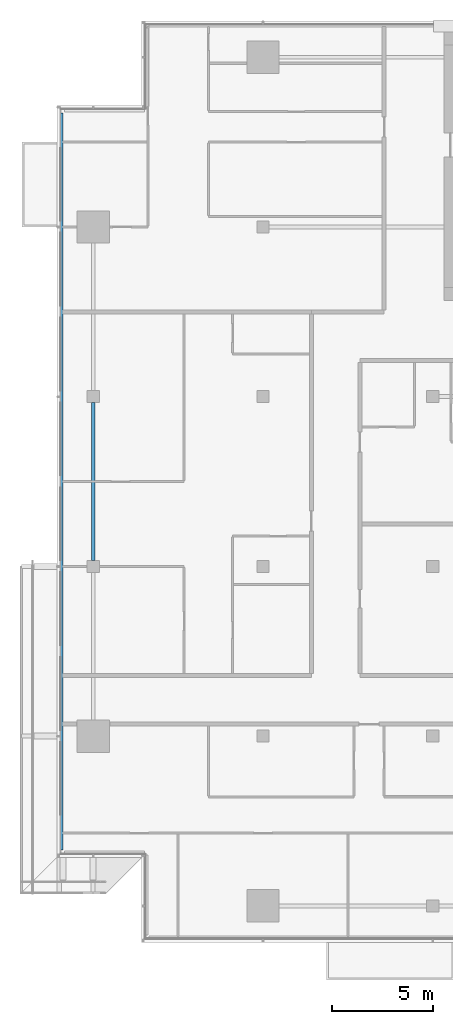
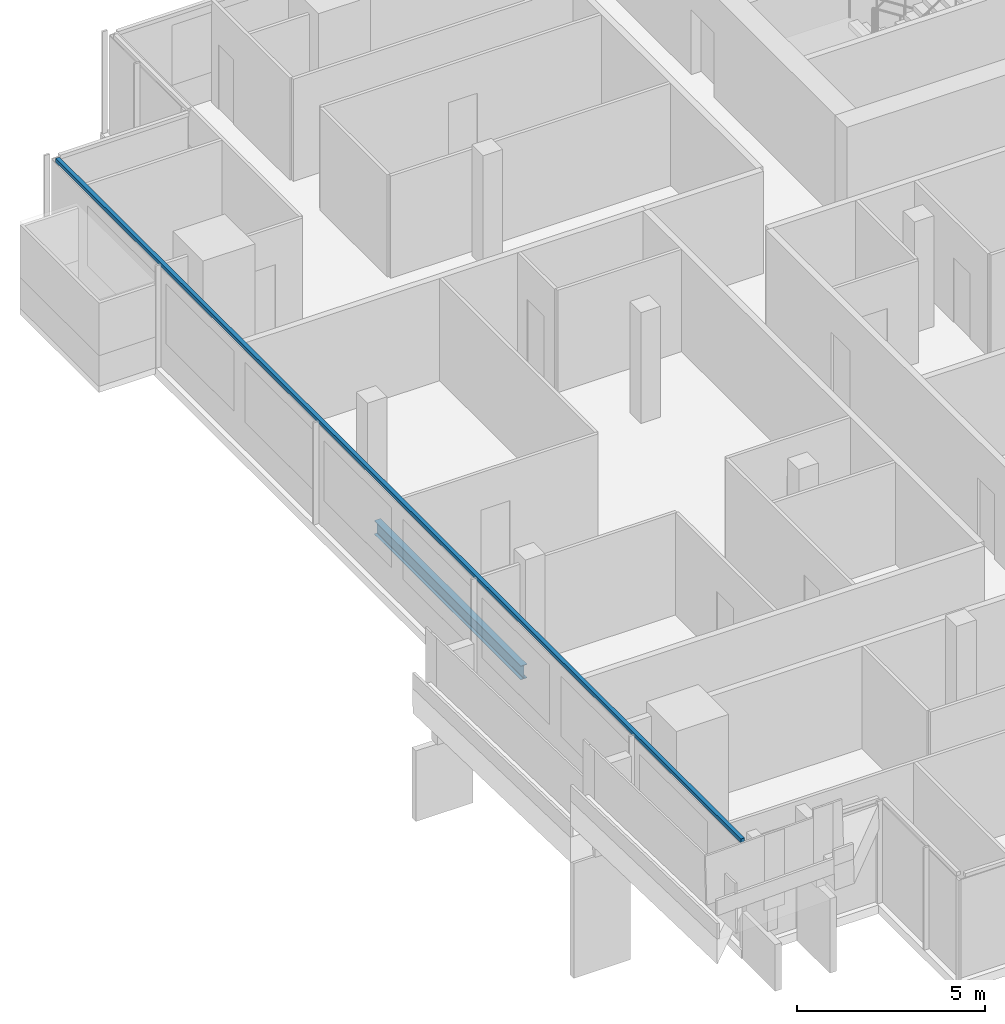
# One storey, part 3 of 30: 1 beam, 1 member, 1 element without a shape of its own.
"""IFC4 building model written with IfcOpenShell, lengths in metres."""

from ifc_helpers import new_model, si_unit, direction, frame, origin, origin_2d, place, context, subcontext, project, spatial, rectangle, i_section, extrude, material, material_profile, profile_set, type_object, element, aggregate, save


model = new_model("IFC4")

# Units and contexts
model_context = context("Model", 3, precision=1e-05, world=origin(), true_north=direction((0.0, 1.0)))
body_context = subcontext(model_context, "Body", "Model", "MODEL_VIEW")
ifc_project = project(units=[si_unit("LENGTHUNIT", "METRE"), si_unit("AREAUNIT", "SQUARE_METRE"), si_unit("VOLUMEUNIT", "CUBIC_METRE"), si_unit("PLANEANGLEUNIT", "RADIAN"), si_unit("MASSUNIT", "GRAM", prefix="KILO")], contexts=[model_context])

# Site, building, storey
site_placement = place(None, origin())
site = spatial("IfcSite", under=ifc_project, at=site_placement, CompositionType="ELEMENT")
building_placement = place(site_placement, origin())
building = spatial("IfcBuilding", under=site, at=building_placement, Name="Saffron Gate Tower", CompositionType="ELEMENT")
storey_placement = place(building_placement, frame((0.0, 0.0, 223.5)))
storey = spatial("IfcBuildingStorey", under=building, at=storey_placement, Name="L54", CompositionType="ELEMENT", Elevation=223.5)

# Beam
ifc_material_1 = material(Name="Structural steel S355", Category="steel")
ifc_material_profile_1 = material_profile(ifc_material_1, i_section(OverallWidth=0.18994140625, OverallDepth=0.449951171875, WebThickness=0.009521484375, FlangeThickness=0.0146484375, FilletRadius=0.02099609375, at=origin_2d()))
ifc_profile_set_1 = profile_set([ifc_material_profile_1], Name="Structural steel S355")
beam_type = type_object("IfcBeamType", Name="B7 IPE 450", PredefinedType="SPANDREL", material=ifc_profile_set_1)
beam_placement = place(storey_placement, frame((49.800048828125, 48.89990234375, -0.5048828125), z_axis=(0.0, 1.0, 0.0), x_axis=(-1.0, 0.0, 0.0)))
element("IfcBeam", 1, at=beam_placement, inside=storey, type_object=beam_type, Name="B7 SPANDREL BEAM", PredefinedType="SPANDREL", context=body_context, shape_type="SweptSolid", body=[
    extrude(i_section(OverallWidth=0.18994140625, OverallDepth=0.449951171875, WebThickness=0.009521484375, FlangeThickness=0.0146484375, FilletRadius=0.02099609375, at=origin_2d()), origin(), (0.0, 0.0, 1.0), 7.800048828125),
])

# Curtain wall, member
ifc_material_2 = material(Name="Aluminium, bronze anodised", Category="aluminium")
curtain_wall_type = type_object("IfcCurtainWallType", Name="CWS2 curtain wall side facades", PredefinedType="NOTDEFINED", material=ifc_material_2)
curtain_wall_placement = place(storey_placement, origin())
curtain_wall = element("IfcCurtainWall", 2, at=curtain_wall_placement, inside=storey, type_object=curtain_wall_type, Name="CWS2 run 10", PredefinedType="NOTDEFINED")
ifc_material_profile_2 = material_profile(ifc_material_2, rectangle(XDim=0.1201171875, YDim=0.1201171875, at=origin_2d()))
ifc_profile_set_2 = profile_set([ifc_material_profile_2], Name="Aluminium, bronze anodised")
member_type = type_object("IfcMemberType", Name="CWS2 head transom", PredefinedType="USERDEFINED", material=ifc_profile_set_2)
member_placement = place(storey_placement, frame((48.248046875, 71.031982421875, 3.260009765625), z_axis=(0.0, -1.0, 0.0), x_axis=(1.0, 0.0, 0.0)))
member = element("IfcMember", 3, at=member_placement, type_object=member_type, Name="CWS2 head transom", ObjectType="TRANSOM", PredefinedType="USERDEFINED", context=body_context, shape_type="SweptSolid", body=[
    extrude(rectangle(XDim=0.1201171875, YDim=0.1201171875, at=origin_2d()), origin(), (0.0, 0.0, 1.0), 36.4638671875),
])
aggregate(curtain_wall, [member])

save(model, "model.ifc")
